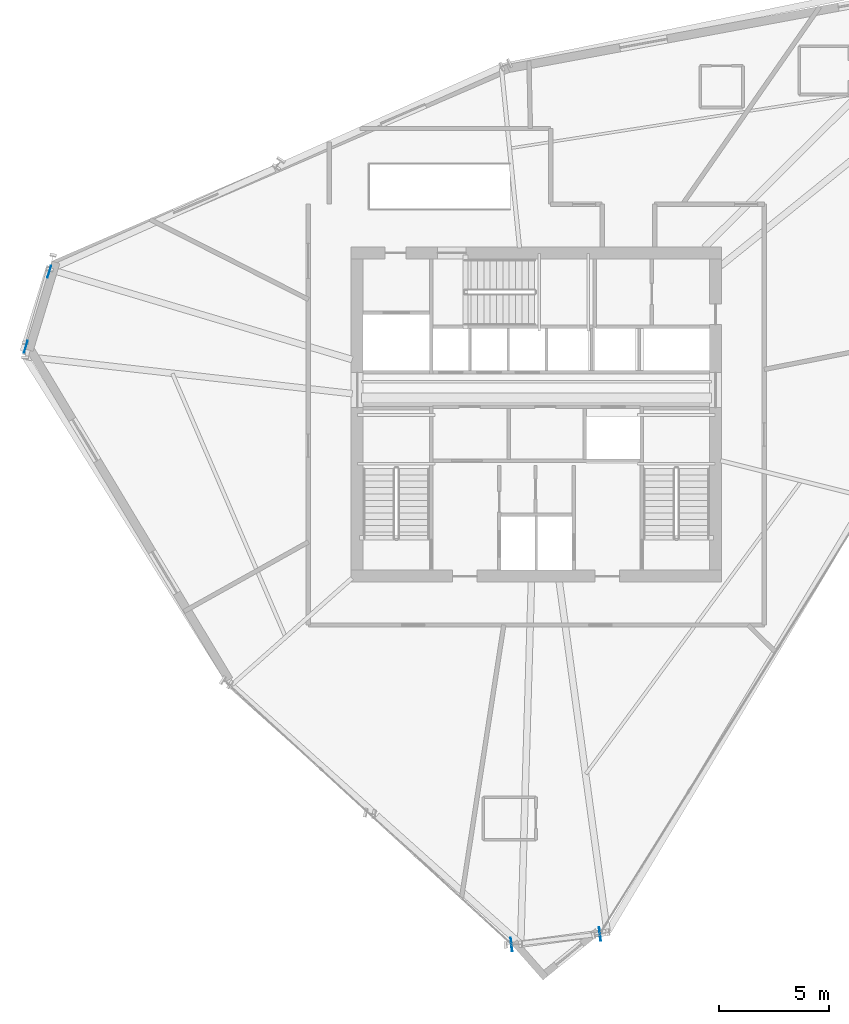
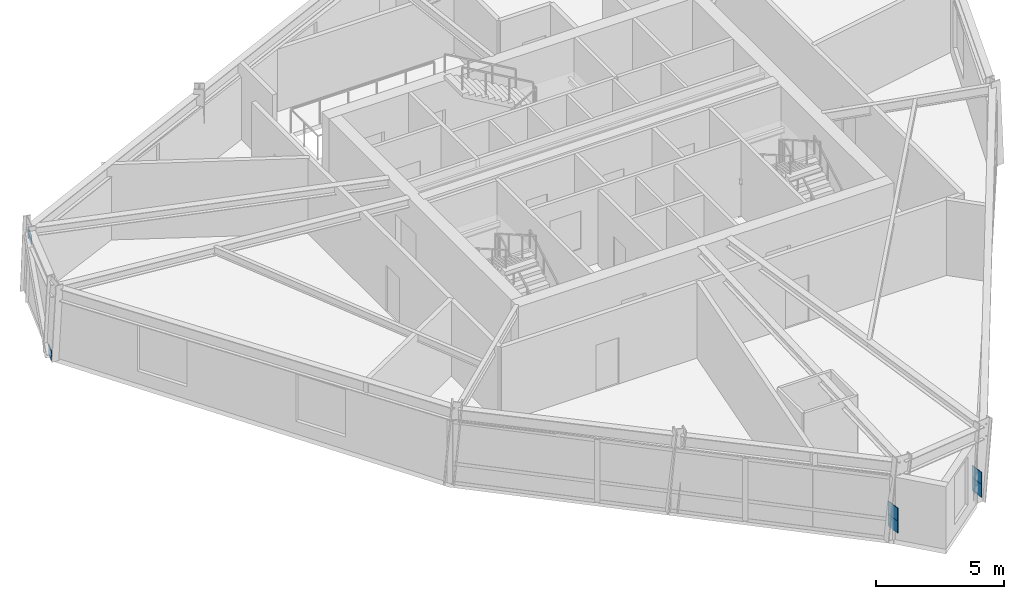
# One storey, part 7 of 13: 6 plates.
"""IFC4 building model written with IfcOpenShell, lengths in metres."""

from ifc_helpers import new_model, si_unit, direction, frame, origin, origin_2d, place, context, subcontext, project, spatial, rectangle, extrude, source, transform, mapped, material, type_object, element, save


model = new_model("IFC4")

# Units and contexts
model_context = context("Model", 3, precision=1e-05, world=origin(), true_north=direction((0.0, 1.0)))
body_context = subcontext(model_context, "Body", "Model", "MODEL_VIEW")
ifc_project = project(units=[si_unit("LENGTHUNIT", "METRE"), si_unit("AREAUNIT", "SQUARE_METRE"), si_unit("VOLUMEUNIT", "CUBIC_METRE"), si_unit("PLANEANGLEUNIT", "RADIAN"), si_unit("MASSUNIT", "GRAM", prefix="KILO")], contexts=[model_context])

# Site, building, storey
site_placement = place(None, origin())
site = spatial("IfcSite", under=ifc_project, at=site_placement, CompositionType="ELEMENT")
building_placement = place(site_placement, origin())
building = spatial("IfcBuilding", under=site, at=building_placement, Name="Olszyna Solenne Hotel", CompositionType="ELEMENT")
storey_placement = place(building_placement, frame((0.0, 0.0, 200.300048828125)))
storey = spatial("IfcBuildingStorey", under=building, at=storey_placement, Name="L53", CompositionType="ELEMENT", Elevation=200.300048828125)

# Plates
ifc_material_1 = material(Name="Steel S460M", Category="steel")
plate_type_1 = type_object("IfcPlateType", Name="GP-CAP2", PredefinedType="USERDEFINED", material=ifc_material_1)
shared_shape_1 = source(origin(), body_context, "Body", "SweptSolid", [
    extrude(rectangle(XDim=0.030029296875, YDim=0.6201171875, at=origin_2d()), origin(), (0.0, 0.0, 1.0), 0.6201171875),
])
for number, where, z_axis, x_axis, name in (
    (1, (36.8642578125, 2.4130859375, 1.039794921875), (0.0, 0.0, 1.0), (0.992965508107, 0.118403968307, 0.0), "Hollow section end-cap plate GP-CAP2 CP-PR-M-L53-PR1-1"),
    (2, (40.901123046875, 2.89453125, 1.039794921875), (0.0, 0.0, 1.0), (0.992965508107, 0.118403968307, 0.0), "Hollow section end-cap plate GP-CAP2 CP-PR-M-L53-PR1-2"),
    (3, (36.8642578125, 2.4130859375, 0.469970703125), (0.0, 0.0, 1.0), (0.992965508107, 0.118403968307, 0.0), "Hollow section end-cap plate GP-CAP2 CP-PR-M-L53-PR2-1"),
    (4, (40.901123046875, 2.89453125, 0.469970703125), (0.0, 0.0, 1.0), (0.992965508107, 0.118403968307, 0.0), "Hollow section end-cap plate GP-CAP2 CP-PR-M-L53-PR2-2"),
):
    element("IfcPlate", number, at=place(storey_placement, frame(where, z_axis=z_axis, x_axis=x_axis)), inside=storey, type_object=plate_type_1, Name=name, ObjectType="GUSSET_PLATE", PredefinedType="USERDEFINED", context=body_context, shape_type="MappedRepresentation", body=[
        mapped(shared_shape_1, transform((0.0, 0.0, 0.0), x_axis=(1.0, 0.0, 0.0), y_axis=(0.0, 1.0, 0.0), z_axis=(0.0, 0.0, 1.0), scale=1.0)),
    ])
ifc_material_2 = material(Name="Steel S355J2", Category="steel")
plate_type_2 = type_object("IfcPlateType", Name="GP-ND2", PredefinedType="USERDEFINED", material=ifc_material_2)
shared_shape_2 = source(origin(), body_context, "Body", "SweptSolid", [
    extrude(rectangle(XDim=0.56005859375, YDim=0.02001953125, at=origin_2d()), origin(), (0.0, 0.0, 1.0), 0.47998046875),
])
for number, where, z_axis, x_axis, name in (
    (5, (14.705078125, 29.69384765625, -0.13916015625), (0.0, 0.0, 1.0), (0.298374534012, 0.954448865814, 0.0), "Brace end connection gusset plate GP-ND2 EP-BR-L53-2-1"),
    (6, (15.776611328125, 33.12109375, 2.919189453125), (0.0, 0.0, 1.0), (0.298374534012, 0.954448865814, 0.0), "Brace end connection gusset plate GP-ND2 EP-BR-L53-2-2"),
):
    element("IfcPlate", number, at=place(storey_placement, frame(where, z_axis=z_axis, x_axis=x_axis)), inside=storey, type_object=plate_type_2, Name=name, ObjectType="GUSSET_PLATE", PredefinedType="USERDEFINED", context=body_context, shape_type="MappedRepresentation", body=[
        mapped(shared_shape_2, transform((0.0, 0.0, 0.0), x_axis=(1.0, 0.0, 0.0), y_axis=(0.0, 1.0, 0.0), z_axis=(0.0, 0.0, 1.0), scale=1.0)),
    ])

save(model, "model.ifc")
